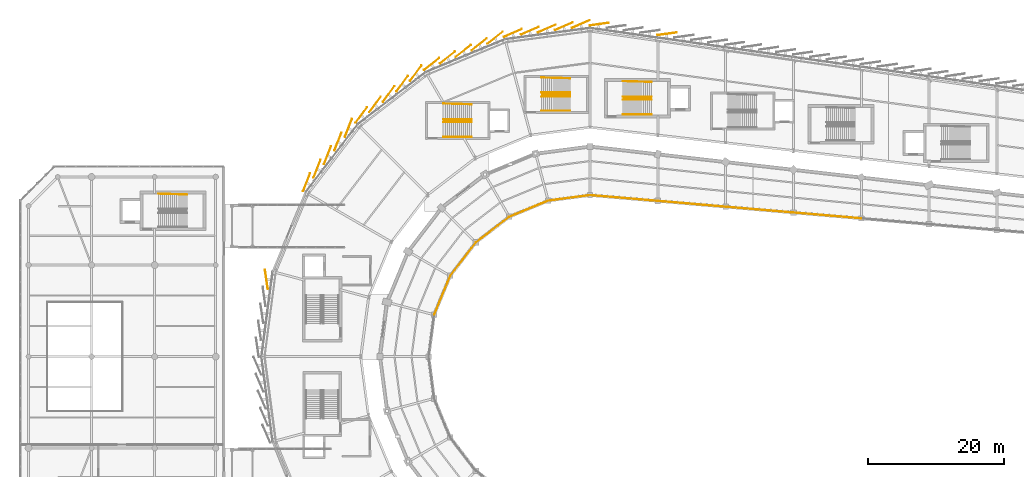
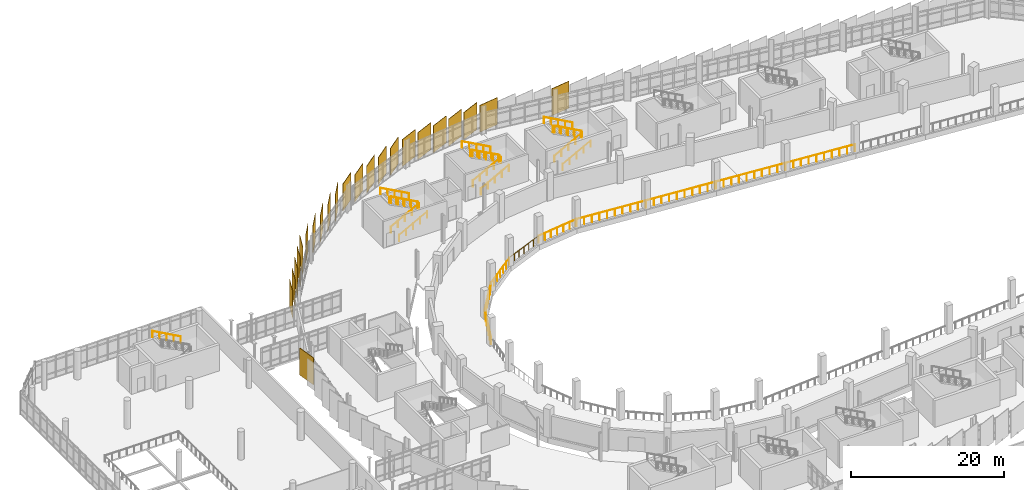
# One storey, part 119 of 125: 25 railings, 23 coverings.
"""IFC4 building model written with IfcOpenShell, lengths in metres."""

from ifc_helpers import new_model, si_unit, direction, frame, origin, origin_2d, place, context, subcontext, project, spatial, rectangle, circle, extrude, material, layer, layer_set, type_object, element, save


model = new_model("IFC4")

# Units and contexts
model_context = context("Model", 3, precision=1e-05, world=origin(), true_north=direction((0.0, 1.0)))
body_context = subcontext(model_context, "Body", "Model", "MODEL_VIEW")
ifc_project = project(units=[si_unit("LENGTHUNIT", "METRE"), si_unit("AREAUNIT", "SQUARE_METRE"), si_unit("VOLUMEUNIT", "CUBIC_METRE"), si_unit("PLANEANGLEUNIT", "RADIAN"), si_unit("MASSUNIT", "GRAM", prefix="KILO")], contexts=[model_context])

# Site, building, storey
site_placement = place(None, origin())
site = spatial("IfcSite", under=ifc_project, at=site_placement, CompositionType="ELEMENT")
building_placement = place(site_placement, origin())
building = spatial("IfcBuilding", under=site, at=building_placement, Name="Sohan Crest Arena", CompositionType="ELEMENT")
storey_placement = place(building_placement, frame((0.0, 0.0, 9.0)))
storey = spatial("IfcBuildingStorey", under=building, at=storey_placement, Name="L02", CompositionType="ELEMENT", Elevation=9.0)

# Railings
ifc_material_1 = material(Name="Powder-coated wrought steel balustrade", Category="steel")
railing_type_1 = type_object("IfcRailingType", Name="ARC-GRD-01", PredefinedType="GUARDRAIL", material=ifc_material_1)
for number, where, name in (
    (1, (80.530029296875, 112.800048828125, 2.25), "Stair well slot guard GRD-025"),
    (2, (107.030029296875, 116.10009765625, 2.25), "Stair well slot guard GRD-037"),
    (3, (95.030029296875, 116.639892578125, 2.25), "Stair well slot guard GRD-108"),
):
    element("IfcRailing", number, at=place(storey_placement, frame(where)), inside=storey, type_object=railing_type_1, Name=name, PredefinedType="GUARDRAIL", context=body_context, shape_type="SweptSolid", body=[
        extrude(circle(Radius=0.02392578125, at=origin_2d()), frame((0.0, 0.0, 1.076171875), z_axis=(-0.87313487534, 0.0, 0.487478706678), x_axis=(0.0, -1.0, 0.0)), (0.0, 0.0, 1.0), 4.615478515625),
        extrude(circle(Radius=0.02099609375, at=origin_2d()), origin(), (0.0, 0.0, 1.0), 1.052001953125),
        extrude(circle(Radius=0.02099609375, at=origin_2d()), frame((-1.007568359375, 0.0, 0.5625)), (0.0, 0.0, 1.0), 1.052001953125),
        extrude(circle(Radius=0.02099609375, at=origin_2d()), frame((-2.01513671875, 0.0, 1.125)), (0.0, 0.0, 1.0), 1.052001953125),
        extrude(circle(Radius=0.02099609375, at=origin_2d()), frame((-3.0224609375, 0.0, 1.6875)), (0.0, 0.0, 1.0), 1.052001953125),
        extrude(circle(Radius=0.02099609375, at=origin_2d()), frame((-4.030029296875, 0.0, 2.25)), (0.0, 0.0, 1.0), 1.052001953125),
    ])
ifc_material_2 = material(Name="Laminated glass and steel sightline guard", Category="steel")
railing_type_2 = type_object("IfcRailingType", Name="ARC-GRD-02", PredefinedType="GUARDRAIL", material=ifc_material_2)
railing_1_placement = place(storey_placement, frame((97.9599609375, 101.794921875, 0.0)))
element("IfcRailing", 4, at=railing_1_placement, inside=storey, type_object=railing_type_2, Name="Bowl gallery edge guard GRD-218", PredefinedType="GUARDRAIL", context=body_context, shape_type="SweptSolid", body=[
    extrude(circle(Radius=0.02392578125, at=origin_2d()), frame((0.0, 0.0, 1.1259765625), z_axis=(-0.991432873037, -0.130617220384, 0.0), x_axis=(0.130617220384, -0.991432873037, 0.0)), (0.0, 0.0, 1.0), 6.132568359375),
    extrude(circle(Radius=0.02099609375, at=origin_2d()), origin(), (0.0, 0.0, 1.0), 1.101806640625),
    extrude(circle(Radius=0.02099609375, at=origin_2d()), frame((-1.013427734375, -0.133544921875, 0.0)), (0.0, 0.0, 1.0), 1.101806640625),
    extrude(circle(Radius=0.02099609375, at=origin_2d()), frame((-2.026611328125, -0.26708984375, 0.0)), (0.0, 0.0, 1.0), 1.101806640625),
    extrude(circle(Radius=0.02099609375, at=origin_2d()), frame((-3.0400390625, -0.400390625, 0.0)), (0.0, 0.0, 1.0), 1.101806640625),
    extrude(circle(Radius=0.02099609375, at=origin_2d()), frame((-4.053466796875, -0.533935546875, 0.0)), (0.0, 0.0, 1.0), 1.101806640625),
    extrude(circle(Radius=0.02099609375, at=origin_2d()), frame((-5.066650390625, -0.66748046875, 0.0)), (0.0, 0.0, 1.0), 1.101806640625),
    extrude(circle(Radius=0.02099609375, at=origin_2d()), frame((-6.080078125, -0.801025390625, 0.0)), (0.0, 0.0, 1.0), 1.101806640625),
])
railing_2_placement = place(storey_placement, frame((91.802978515625, 100.97412109375, 0.0)))
element("IfcRailing", 5, at=railing_2_placement, inside=storey, type_object=railing_type_2, Name="Bowl gallery edge guard GRD-219", PredefinedType="GUARDRAIL", context=body_context, shape_type="SweptSolid", body=[
    extrude(circle(Radius=0.02392578125, at=origin_2d()), frame((0.0, 0.0, 1.1259765625), z_axis=(-0.923810112157, -0.38285098495, 0.0), x_axis=(0.38285098495, -0.923810112157, 0.0)), (0.0, 0.0, 1.0), 6.13330078125),
    extrude(circle(Radius=0.02099609375, at=origin_2d()), origin(), (0.0, 0.0, 1.0), 1.101806640625),
    extrude(circle(Radius=0.02099609375, at=origin_2d()), frame((-0.9443359375, -0.391357421875, 0.0)), (0.0, 0.0, 1.0), 1.101806640625),
    extrude(circle(Radius=0.02099609375, at=origin_2d()), frame((-1.888671875, -0.78271484375, 0.0)), (0.0, 0.0, 1.0), 1.101806640625),
    extrude(circle(Radius=0.02099609375, at=origin_2d()), frame((-2.8330078125, -1.174072265625, 0.0)), (0.0, 0.0, 1.0), 1.101806640625),
    extrude(circle(Radius=0.02099609375, at=origin_2d()), frame((-3.77734375, -1.5654296875, 0.0)), (0.0, 0.0, 1.0), 1.101806640625),
    extrude(circle(Radius=0.02099609375, at=origin_2d()), frame((-4.7216796875, -1.956787109375, 0.0)), (0.0, 0.0, 1.0), 1.101806640625),
    extrude(circle(Radius=0.02099609375, at=origin_2d()), frame((-5.666015625, -2.34814453125, 0.0)), (0.0, 0.0, 1.0), 1.101806640625),
])
railing_3_placement = place(storey_placement, frame((86.068115234375, 98.5869140625, 0.0)))
element("IfcRailing", 6, at=railing_3_placement, inside=storey, type_object=railing_type_2, Name="Bowl gallery edge guard GRD-220", PredefinedType="GUARDRAIL", context=body_context, shape_type="SweptSolid", body=[
    extrude(circle(Radius=0.02392578125, at=origin_2d()), frame((0.0, 0.0, 1.1259765625), z_axis=(-0.793301277629, -0.608829272384, 0.0), x_axis=(0.608829272384, -0.793301277629, 0.0)), (0.0, 0.0, 1.0), 6.1328125),
    extrude(circle(Radius=0.02099609375, at=origin_2d()), origin(), (0.0, 0.0, 1.0), 1.101806640625),
    extrude(circle(Radius=0.02099609375, at=origin_2d()), frame((-0.810791015625, -0.622314453125, 0.0)), (0.0, 0.0, 1.0), 1.101806640625),
    extrude(circle(Radius=0.02099609375, at=origin_2d()), frame((-1.621826171875, -1.24462890625, 0.0)), (0.0, 0.0, 1.0), 1.101806640625),
    extrude(circle(Radius=0.02099609375, at=origin_2d()), frame((-2.4326171875, -1.866943359375, 0.0)), (0.0, 0.0, 1.0), 1.101806640625),
    extrude(circle(Radius=0.02099609375, at=origin_2d()), frame((-3.243408203125, -2.4892578125, 0.0)), (0.0, 0.0, 1.0), 1.101806640625),
    extrude(circle(Radius=0.02099609375, at=origin_2d()), frame((-4.054443359375, -3.111572265625, 0.0)), (0.0, 0.0, 1.0), 1.101806640625),
    extrude(circle(Radius=0.02099609375, at=origin_2d()), frame((-4.865234375, -3.73388671875, 0.0)), (0.0, 0.0, 1.0), 1.101806640625),
])
railing_4_placement = place(storey_placement, frame((81.14697265625, 94.797119140625, 0.0)))
element("IfcRailing", 7, at=railing_4_placement, inside=storey, type_object=railing_type_2, Name="Bowl gallery edge guard GRD-221", PredefinedType="GUARDRAIL", context=body_context, shape_type="SweptSolid", body=[
    extrude(circle(Radius=0.02392578125, at=origin_2d()), frame((0.0, 0.0, 1.1259765625), z_axis=(-0.608829272384, -0.793301277629, 0.0), x_axis=(0.793301277629, -0.608829272384, 0.0)), (0.0, 0.0, 1.0), 6.1328125),
    extrude(circle(Radius=0.02099609375, at=origin_2d()), origin(), (0.0, 0.0, 1.0), 1.101806640625),
    extrude(circle(Radius=0.02099609375, at=origin_2d()), frame((-0.622314453125, -0.810791015625, 0.0)), (0.0, 0.0, 1.0), 1.101806640625),
    extrude(circle(Radius=0.02099609375, at=origin_2d()), frame((-1.24462890625, -1.621826171875, 0.0)), (0.0, 0.0, 1.0), 1.101806640625),
    extrude(circle(Radius=0.02099609375, at=origin_2d()), frame((-1.866943359375, -2.4326171875, 0.0)), (0.0, 0.0, 1.0), 1.101806640625),
    extrude(circle(Radius=0.02099609375, at=origin_2d()), frame((-2.4892578125, -3.243408203125, 0.0)), (0.0, 0.0, 1.0), 1.101806640625),
    extrude(circle(Radius=0.02099609375, at=origin_2d()), frame((-3.111572265625, -4.054443359375, 0.0)), (0.0, 0.0, 1.0), 1.101806640625),
    extrude(circle(Radius=0.02099609375, at=origin_2d()), frame((-3.73388671875, -4.865234375, 0.0)), (0.0, 0.0, 1.0), 1.101806640625),
])
railing_5_placement = place(storey_placement, frame((77.3740234375, 89.863037109375, 0.0)))
element("IfcRailing", 8, at=railing_5_placement, inside=storey, type_object=railing_type_2, Name="Bowl gallery edge guard GRD-222", PredefinedType="GUARDRAIL", context=body_context, shape_type="SweptSolid", body=[
    extrude(circle(Radius=0.02392578125, at=origin_2d()), frame((0.0, 0.0, 1.1259765625), z_axis=(-0.38285098495, -0.923810112157, 0.0), x_axis=(0.923810112157, -0.38285098495, 0.0)), (0.0, 0.0, 1.0), 6.13330078125),
    extrude(circle(Radius=0.02099609375, at=origin_2d()), origin(), (0.0, 0.0, 1.0), 1.101806640625),
    extrude(circle(Radius=0.02099609375, at=origin_2d()), frame((-0.391357421875, -0.9443359375, 0.0)), (0.0, 0.0, 1.0), 1.101806640625),
    extrude(circle(Radius=0.02099609375, at=origin_2d()), frame((-0.78271484375, -1.888671875, 0.0)), (0.0, 0.0, 1.0), 1.101806640625),
    extrude(circle(Radius=0.02099609375, at=origin_2d()), frame((-1.174072265625, -2.8330078125, 0.0)), (0.0, 0.0, 1.0), 1.101806640625),
    extrude(circle(Radius=0.02099609375, at=origin_2d()), frame((-1.5654296875, -3.77734375, 0.0)), (0.0, 0.0, 1.0), 1.101806640625),
    extrude(circle(Radius=0.02099609375, at=origin_2d()), frame((-1.956787109375, -4.7216796875, 0.0)), (0.0, 0.0, 1.0), 1.101806640625),
    extrude(circle(Radius=0.02099609375, at=origin_2d()), frame((-2.34814453125, -5.666015625, 0.0)), (0.0, 0.0, 1.0), 1.101806640625),
])
railing_6_placement = place(storey_placement, frame((137.9599609375, 98.3740234375, 0.0)))
element("IfcRailing", 9, at=railing_6_placement, inside=storey, type_object=railing_type_2, Name="Bowl gallery edge guard GRD-248", PredefinedType="GUARDRAIL", context=body_context, shape_type="SweptSolid", body=[
    extrude(circle(Radius=0.02392578125, at=origin_2d()), frame((0.0, 0.0, 1.1259765625), z_axis=(-0.996331491652, 0.085577793509, 0.0), x_axis=(-0.085577793509, -0.996331491652, 0.0)), (0.0, 0.0, 1.0), 9.95654296875),
    extrude(circle(Radius=0.02099609375, at=origin_2d()), origin(), (0.0, 0.0, 1.0), 1.101806640625),
    extrude(circle(Radius=0.02099609375, at=origin_2d()), frame((-1.102294921875, 0.0947265625, 0.0)), (0.0, 0.0, 1.0), 1.101806640625),
    extrude(circle(Radius=0.02099609375, at=origin_2d()), frame((-2.204345703125, 0.189453125, 0.0)), (0.0, 0.0, 1.0), 1.101806640625),
    extrude(circle(Radius=0.02099609375, at=origin_2d()), frame((-3.306640625, 0.283935546875, 0.0)), (0.0, 0.0, 1.0), 1.101806640625),
    extrude(circle(Radius=0.02099609375, at=origin_2d()), frame((-4.408935546875, 0.378662109375, 0.0)), (0.0, 0.0, 1.0), 1.101806640625),
    extrude(circle(Radius=0.02099609375, at=origin_2d()), frame((-5.510986328125, 0.473388671875, 0.0)), (0.0, 0.0, 1.0), 1.101806640625),
    extrude(circle(Radius=0.02099609375, at=origin_2d()), frame((-6.61328125, 0.568115234375, 0.0)), (0.0, 0.0, 1.0), 1.101806640625),
    extrude(circle(Radius=0.02099609375, at=origin_2d()), frame((-7.715576171875, 0.66259765625, 0.0)), (0.0, 0.0, 1.0), 1.101806640625),
    extrude(circle(Radius=0.02099609375, at=origin_2d()), frame((-8.817626953125, 0.75732421875, 0.0)), (0.0, 0.0, 1.0), 1.101806640625),
    extrude(circle(Radius=0.02099609375, at=origin_2d()), frame((-9.919921875, 0.85205078125, 0.0)), (0.0, 0.0, 1.0), 1.101806640625),
])
railing_7_placement = place(storey_placement, frame((127.9599609375, 99.23193359375, 0.0)))
element("IfcRailing", 10, at=railing_7_placement, inside=storey, type_object=railing_type_2, Name="Bowl gallery edge guard GRD-249", PredefinedType="GUARDRAIL", context=body_context, shape_type="SweptSolid", body=[
    extrude(circle(Radius=0.02392578125, at=origin_2d()), frame((0.0, 0.0, 1.1259765625), z_axis=(-0.996339849936, 0.085480427173, 0.0), x_axis=(-0.085480427173, -0.996339849936, 0.0)), (0.0, 0.0, 1.0), 9.956298828125),
    extrude(circle(Radius=0.02099609375, at=origin_2d()), origin(), (0.0, 0.0, 1.0), 1.101806640625),
    extrude(circle(Radius=0.02099609375, at=origin_2d()), frame((-1.102294921875, 0.094482421875, 0.0)), (0.0, 0.0, 1.0), 1.101806640625),
    extrude(circle(Radius=0.02099609375, at=origin_2d()), frame((-2.204345703125, 0.189208984375, 0.0)), (0.0, 0.0, 1.0), 1.101806640625),
    extrude(circle(Radius=0.02099609375, at=origin_2d()), frame((-3.306640625, 0.28369140625, 0.0)), (0.0, 0.0, 1.0), 1.101806640625),
    extrude(circle(Radius=0.02099609375, at=origin_2d()), frame((-4.408935546875, 0.378173828125, 0.0)), (0.0, 0.0, 1.0), 1.101806640625),
    extrude(circle(Radius=0.02099609375, at=origin_2d()), frame((-5.510986328125, 0.472900390625, 0.0)), (0.0, 0.0, 1.0), 1.101806640625),
    extrude(circle(Radius=0.02099609375, at=origin_2d()), frame((-6.61328125, 0.5673828125, 0.0)), (0.0, 0.0, 1.0), 1.101806640625),
    extrude(circle(Radius=0.02099609375, at=origin_2d()), frame((-7.715576171875, 0.661865234375, 0.0)), (0.0, 0.0, 1.0), 1.101806640625),
    extrude(circle(Radius=0.02099609375, at=origin_2d()), frame((-8.817626953125, 0.756591796875, 0.0)), (0.0, 0.0, 1.0), 1.101806640625),
    extrude(circle(Radius=0.02099609375, at=origin_2d()), frame((-9.919921875, 0.85107421875, 0.0)), (0.0, 0.0, 1.0), 1.101806640625),
])
railing_8_placement = place(storey_placement, frame((117.9599609375, 100.089111328125, 0.0)))
element("IfcRailing", 11, at=railing_8_placement, inside=storey, type_object=railing_type_2, Name="Bowl gallery edge guard GRD-250", PredefinedType="GUARDRAIL", context=body_context, shape_type="SweptSolid", body=[
    extrude(circle(Radius=0.02392578125, at=origin_2d()), frame((0.0, 0.0, 1.1259765625), z_axis=(-0.996341938042, 0.085456085206, 0.0), x_axis=(-0.085456085206, -0.996341938042, 0.0)), (0.0, 0.0, 1.0), 9.956298828125),
    extrude(circle(Radius=0.02099609375, at=origin_2d()), origin(), (0.0, 0.0, 1.0), 1.101806640625),
    extrude(circle(Radius=0.02099609375, at=origin_2d()), frame((-1.102294921875, 0.094482421875, 0.0)), (0.0, 0.0, 1.0), 1.101806640625),
    extrude(circle(Radius=0.02099609375, at=origin_2d()), frame((-2.204345703125, 0.18896484375, 0.0)), (0.0, 0.0, 1.0), 1.101806640625),
    extrude(circle(Radius=0.02099609375, at=origin_2d()), frame((-3.306640625, 0.28369140625, 0.0)), (0.0, 0.0, 1.0), 1.101806640625),
    extrude(circle(Radius=0.02099609375, at=origin_2d()), frame((-4.408935546875, 0.378173828125, 0.0)), (0.0, 0.0, 1.0), 1.101806640625),
    extrude(circle(Radius=0.02099609375, at=origin_2d()), frame((-5.510986328125, 0.47265625, 0.0)), (0.0, 0.0, 1.0), 1.101806640625),
    extrude(circle(Radius=0.02099609375, at=origin_2d()), frame((-6.61328125, 0.567138671875, 0.0)), (0.0, 0.0, 1.0), 1.101806640625),
    extrude(circle(Radius=0.02099609375, at=origin_2d()), frame((-7.715576171875, 0.661865234375, 0.0)), (0.0, 0.0, 1.0), 1.101806640625),
    extrude(circle(Radius=0.02099609375, at=origin_2d()), frame((-8.817626953125, 0.75634765625, 0.0)), (0.0, 0.0, 1.0), 1.101806640625),
    extrude(circle(Radius=0.02099609375, at=origin_2d()), frame((-9.919921875, 0.850830078125, 0.0)), (0.0, 0.0, 1.0), 1.101806640625),
])
railing_9_placement = place(storey_placement, frame((107.9599609375, 100.946044921875, 0.0)))
element("IfcRailing", 12, at=railing_9_placement, inside=storey, type_object=railing_type_2, Name="Bowl gallery edge guard GRD-251", PredefinedType="GUARDRAIL", context=body_context, shape_type="SweptSolid", body=[
    extrude(circle(Radius=0.02392578125, at=origin_2d()), frame((0.0, 0.0, 1.1259765625), z_axis=(-0.996339849936, 0.085480427173, 0.0), x_axis=(-0.085480427173, -0.996339849936, 0.0)), (0.0, 0.0, 1.0), 9.956298828125),
    extrude(circle(Radius=0.02099609375, at=origin_2d()), origin(), (0.0, 0.0, 1.0), 1.101806640625),
    extrude(circle(Radius=0.02099609375, at=origin_2d()), frame((-1.102294921875, 0.094482421875, 0.0)), (0.0, 0.0, 1.0), 1.101806640625),
    extrude(circle(Radius=0.02099609375, at=origin_2d()), frame((-2.204345703125, 0.189208984375, 0.0)), (0.0, 0.0, 1.0), 1.101806640625),
    extrude(circle(Radius=0.02099609375, at=origin_2d()), frame((-3.306640625, 0.28369140625, 0.0)), (0.0, 0.0, 1.0), 1.101806640625),
    extrude(circle(Radius=0.02099609375, at=origin_2d()), frame((-4.408935546875, 0.378173828125, 0.0)), (0.0, 0.0, 1.0), 1.101806640625),
    extrude(circle(Radius=0.02099609375, at=origin_2d()), frame((-5.510986328125, 0.472900390625, 0.0)), (0.0, 0.0, 1.0), 1.101806640625),
    extrude(circle(Radius=0.02099609375, at=origin_2d()), frame((-6.61328125, 0.5673828125, 0.0)), (0.0, 0.0, 1.0), 1.101806640625),
    extrude(circle(Radius=0.02099609375, at=origin_2d()), frame((-7.715576171875, 0.661865234375, 0.0)), (0.0, 0.0, 1.0), 1.101806640625),
    extrude(circle(Radius=0.02099609375, at=origin_2d()), frame((-8.817626953125, 0.756591796875, 0.0)), (0.0, 0.0, 1.0), 1.101806640625),
    extrude(circle(Radius=0.02099609375, at=origin_2d()), frame((-9.919921875, 0.85107421875, 0.0)), (0.0, 0.0, 1.0), 1.101806640625),
])
ifc_material_3 = material(Name="Brushed stainless steel stair handrail", Category="steel")
railing_type_3 = type_object("IfcRailingType", Name="ARC-HR-01", PredefinedType="HANDRAIL", material=ifc_material_3)
for number, where, name in (
    (13, (76.35009765625, 110.409912109375, 0.0), "Stair pitch handrail HR-085"),
    (14, (76.35009765625, 112.590087890625, 0.0), "Stair pitch handrail HR-086"),
):
    element("IfcRailing", number, at=place(storey_placement, frame(where)), inside=storey, type_object=railing_type_3, Name=name, PredefinedType="HANDRAIL", context=body_context, shape_type="SweptSolid", body=[
        extrude(circle(Radius=0.02392578125, at=origin_2d()), frame((0.0, 0.0, 0.97607421875), z_axis=(0.881477684796, 0.0, 0.472225678258), x_axis=(0.0, 1.0, 0.0)), (0.0, 0.0, 1.0), 4.7646484375),
        extrude(circle(Radius=0.02099609375, at=origin_2d()), origin(), (0.0, 0.0, 1.0), 0.951904296875),
        extrude(circle(Radius=0.02099609375, at=origin_2d()), frame((1.050048828125, 0.0, 0.5625)), (0.0, 0.0, 1.0), 0.951904296875),
        extrude(circle(Radius=0.02099609375, at=origin_2d()), frame((2.10009765625, 0.0, 1.125)), (0.0, 0.0, 1.0), 0.951904296875),
        extrude(circle(Radius=0.02099609375, at=origin_2d()), frame((3.14990234375, 0.0, 1.6875)), (0.0, 0.0, 1.0), 0.951904296875),
        extrude(circle(Radius=0.02099609375, at=origin_2d()), frame((4.199951171875, 0.0, 2.25)), (0.0, 0.0, 1.0), 0.951904296875),
    ])
railing_10_placement = place(storey_placement, frame((80.550048828125, 113.010009765625, 2.25)))
element("IfcRailing", 15, at=railing_10_placement, inside=storey, type_object=railing_type_3, Name="Stair pitch handrail HR-087", PredefinedType="HANDRAIL", context=body_context, shape_type="SweptSolid", body=[
    extrude(circle(Radius=0.02392578125, at=origin_2d()), frame((0.0, 0.0, 0.97607421875), z_axis=(-0.881477684796, 0.0, 0.472225678258), x_axis=(0.0, -1.0, 0.0)), (0.0, 0.0, 1.0), 4.7646484375),
    extrude(circle(Radius=0.02099609375, at=origin_2d()), origin(), (0.0, 0.0, 1.0), 0.951904296875),
    extrude(circle(Radius=0.02099609375, at=origin_2d()), frame((-1.050048828125, 0.0, 0.5625)), (0.0, 0.0, 1.0), 0.951904296875),
    extrude(circle(Radius=0.02099609375, at=origin_2d()), frame((-2.10009765625, 0.0, 1.125)), (0.0, 0.0, 1.0), 0.951904296875),
    extrude(circle(Radius=0.02099609375, at=origin_2d()), frame((-3.14990234375, 0.0, 1.6875)), (0.0, 0.0, 1.0), 0.951904296875),
    extrude(circle(Radius=0.02099609375, at=origin_2d()), frame((-4.199951171875, 0.0, 2.25)), (0.0, 0.0, 1.0), 0.951904296875),
])
railing_11_placement = place(storey_placement, frame((80.550048828125, 115.18994140625, 2.25)))
element("IfcRailing", 16, at=railing_11_placement, inside=storey, type_object=railing_type_3, Name="Stair pitch handrail HR-088", PredefinedType="HANDRAIL", context=body_context, shape_type="SweptSolid", body=[
    extrude(circle(Radius=0.02392578125, at=origin_2d()), frame((0.0, 0.0, 0.97607421875), z_axis=(-0.881197710057, 0.025201957411, 0.472075690047), x_axis=(-0.028587973606, -0.999591280357, 0.0)), (0.0, 0.0, 1.0), 4.76611328125),
    extrude(circle(Radius=0.02099609375, at=origin_2d()), origin(), (0.0, 0.0, 1.0), 0.951904296875),
    extrude(circle(Radius=0.02099609375, at=origin_2d()), frame((-1.050048828125, 0.030029296875, 0.5625)), (0.0, 0.0, 1.0), 0.951904296875),
    extrude(circle(Radius=0.02099609375, at=origin_2d()), frame((-2.10009765625, 0.06005859375, 1.125)), (0.0, 0.0, 1.0), 0.951904296875),
    extrude(circle(Radius=0.02099609375, at=origin_2d()), frame((-3.14990234375, 0.090087890625, 1.6875)), (0.0, 0.0, 1.0), 0.951904296875),
    extrude(circle(Radius=0.02099609375, at=origin_2d()), frame((-4.199951171875, 0.1201171875, 2.25)), (0.0, 0.0, 1.0), 0.951904296875),
])
for number, where, name in (
    (17, (102.85009765625, 113.7099609375, 0.0), "Stair pitch handrail HR-125"),
    (18, (102.85009765625, 115.889892578125, 0.0), "Stair pitch handrail HR-126"),
):
    element("IfcRailing", number, at=place(storey_placement, frame(where)), inside=storey, type_object=railing_type_3, Name=name, PredefinedType="HANDRAIL", context=body_context, shape_type="SweptSolid", body=[
        extrude(circle(Radius=0.02392578125, at=origin_2d()), frame((0.0, 0.0, 0.97607421875), z_axis=(0.881477684796, 0.0, 0.472225678258), x_axis=(0.0, 1.0, 0.0)), (0.0, 0.0, 1.0), 4.7646484375),
        extrude(circle(Radius=0.02099609375, at=origin_2d()), origin(), (0.0, 0.0, 1.0), 0.951904296875),
        extrude(circle(Radius=0.02099609375, at=origin_2d()), frame((1.050048828125, 0.0, 0.5625)), (0.0, 0.0, 1.0), 0.951904296875),
        extrude(circle(Radius=0.02099609375, at=origin_2d()), frame((2.10009765625, 0.0, 1.125)), (0.0, 0.0, 1.0), 0.951904296875),
        extrude(circle(Radius=0.02099609375, at=origin_2d()), frame((3.14990234375, 0.0, 1.6875)), (0.0, 0.0, 1.0), 0.951904296875),
        extrude(circle(Radius=0.02099609375, at=origin_2d()), frame((4.199951171875, 0.0, 2.25)), (0.0, 0.0, 1.0), 0.951904296875),
    ])
railing_12_placement = place(storey_placement, frame((107.050048828125, 116.31005859375, 2.25)))
element("IfcRailing", 19, at=railing_12_placement, inside=storey, type_object=railing_type_3, Name="Stair pitch handrail HR-127", PredefinedType="HANDRAIL", context=body_context, shape_type="SweptSolid", body=[
    extrude(circle(Radius=0.02392578125, at=origin_2d()), frame((0.0, 0.0, 0.97607421875), z_axis=(-0.881477684796, 0.0, 0.472225678258), x_axis=(0.0, -1.0, 0.0)), (0.0, 0.0, 1.0), 4.7646484375),
    extrude(circle(Radius=0.02099609375, at=origin_2d()), origin(), (0.0, 0.0, 1.0), 0.951904296875),
    extrude(circle(Radius=0.02099609375, at=origin_2d()), frame((-1.050048828125, 0.0, 0.5625)), (0.0, 0.0, 1.0), 0.951904296875),
    extrude(circle(Radius=0.02099609375, at=origin_2d()), frame((-2.10009765625, 0.0, 1.125)), (0.0, 0.0, 1.0), 0.951904296875),
    extrude(circle(Radius=0.02099609375, at=origin_2d()), frame((-3.14990234375, 0.0, 1.6875)), (0.0, 0.0, 1.0), 0.951904296875),
    extrude(circle(Radius=0.02099609375, at=origin_2d()), frame((-4.199951171875, 0.0, 2.25)), (0.0, 0.0, 1.0), 0.951904296875),
])
for number, where, name in (
    (20, (107.050048828125, 118.489990234375, 2.25), "Stair pitch handrail HR-128"),
    (21, (38.550048828125, 101.889892578125, 2.25), "Stair pitch handrail HR-256"),
):
    element("IfcRailing", number, at=place(storey_placement, frame(where)), inside=storey, type_object=railing_type_3, Name=name, PredefinedType="HANDRAIL", context=body_context, shape_type="SweptSolid", body=[
        extrude(circle(Radius=0.02392578125, at=origin_2d()), frame((0.0, 0.0, 0.97607421875), z_axis=(-0.881197710057, 0.025201957411, 0.472075690047), x_axis=(-0.028587973606, -0.999591280357, 0.0)), (0.0, 0.0, 1.0), 4.76611328125),
        extrude(circle(Radius=0.02099609375, at=origin_2d()), origin(), (0.0, 0.0, 1.0), 0.951904296875),
        extrude(circle(Radius=0.02099609375, at=origin_2d()), frame((-1.050048828125, 0.030029296875, 0.5625)), (0.0, 0.0, 1.0), 0.951904296875),
        extrude(circle(Radius=0.02099609375, at=origin_2d()), frame((-2.10009765625, 0.06005859375, 1.125)), (0.0, 0.0, 1.0), 0.951904296875),
        extrude(circle(Radius=0.02099609375, at=origin_2d()), frame((-3.14990234375, 0.090087890625, 1.6875)), (0.0, 0.0, 1.0), 0.951904296875),
        extrude(circle(Radius=0.02099609375, at=origin_2d()), frame((-4.199951171875, 0.1201171875, 2.25)), (0.0, 0.0, 1.0), 0.951904296875),
    ])
for number, where, name in (
    (22, (90.85009765625, 114.25, 0.0), "Stair pitch handrail HR-353"),
    (23, (90.85009765625, 116.330078125, 0.0), "Stair pitch handrail HR-354"),
):
    element("IfcRailing", number, at=place(storey_placement, frame(where)), inside=storey, type_object=railing_type_3, Name=name, PredefinedType="HANDRAIL", context=body_context, shape_type="SweptSolid", body=[
        extrude(circle(Radius=0.02392578125, at=origin_2d()), frame((0.0, 0.0, 0.97607421875), z_axis=(0.881477684796, 0.0, 0.472225678258), x_axis=(0.0, 1.0, 0.0)), (0.0, 0.0, 1.0), 4.7646484375),
        extrude(circle(Radius=0.02099609375, at=origin_2d()), origin(), (0.0, 0.0, 1.0), 0.951904296875),
        extrude(circle(Radius=0.02099609375, at=origin_2d()), frame((1.050048828125, 0.0, 0.5625)), (0.0, 0.0, 1.0), 0.951904296875),
        extrude(circle(Radius=0.02099609375, at=origin_2d()), frame((2.10009765625, 0.0, 1.125)), (0.0, 0.0, 1.0), 0.951904296875),
        extrude(circle(Radius=0.02099609375, at=origin_2d()), frame((3.14990234375, 0.0, 1.6875)), (0.0, 0.0, 1.0), 0.951904296875),
        extrude(circle(Radius=0.02099609375, at=origin_2d()), frame((4.199951171875, 0.0, 2.25)), (0.0, 0.0, 1.0), 0.951904296875),
    ])
railing_13_placement = place(storey_placement, frame((95.050048828125, 116.949951171875, 2.25)))
element("IfcRailing", 24, at=railing_13_placement, inside=storey, type_object=railing_type_3, Name="Stair pitch handrail HR-355", PredefinedType="HANDRAIL", context=body_context, shape_type="SweptSolid", body=[
    extrude(circle(Radius=0.02392578125, at=origin_2d()), frame((0.0, 0.0, 0.97607421875), z_axis=(-0.881477684796, 0.0, 0.472225678258), x_axis=(0.0, -1.0, 0.0)), (0.0, 0.0, 1.0), 4.7646484375),
    extrude(circle(Radius=0.02099609375, at=origin_2d()), origin(), (0.0, 0.0, 1.0), 0.951904296875),
    extrude(circle(Radius=0.02099609375, at=origin_2d()), frame((-1.050048828125, 0.0, 0.5625)), (0.0, 0.0, 1.0), 0.951904296875),
    extrude(circle(Radius=0.02099609375, at=origin_2d()), frame((-2.10009765625, 0.0, 1.125)), (0.0, 0.0, 1.0), 0.951904296875),
    extrude(circle(Radius=0.02099609375, at=origin_2d()), frame((-3.14990234375, 0.0, 1.6875)), (0.0, 0.0, 1.0), 0.951904296875),
    extrude(circle(Radius=0.02099609375, at=origin_2d()), frame((-4.199951171875, 0.0, 2.25)), (0.0, 0.0, 1.0), 0.951904296875),
])
railing_14_placement = place(storey_placement, frame((95.050048828125, 119.030029296875, 2.25)))
element("IfcRailing", 25, at=railing_14_placement, inside=storey, type_object=railing_type_3, Name="Stair pitch handrail HR-356", PredefinedType="HANDRAIL", context=body_context, shape_type="SweptSolid", body=[
    extrude(circle(Radius=0.02392578125, at=origin_2d()), frame((0.0, 0.0, 0.97607421875), z_axis=(-0.881198846469, 0.025150766356, 0.472076298847), x_axis=(-0.028529915312, -0.999592939117, 0.0)), (0.0, 0.0, 1.0), 4.76611328125),
    extrude(circle(Radius=0.02099609375, at=origin_2d()), origin(), (0.0, 0.0, 1.0), 0.951904296875),
    extrude(circle(Radius=0.02099609375, at=origin_2d()), frame((-1.050048828125, 0.030029296875, 0.5625)), (0.0, 0.0, 1.0), 0.951904296875),
    extrude(circle(Radius=0.02099609375, at=origin_2d()), frame((-2.10009765625, 0.06005859375, 1.125)), (0.0, 0.0, 1.0), 0.951904296875),
    extrude(circle(Radius=0.02099609375, at=origin_2d()), frame((-3.14990234375, 0.08984375, 1.6875)), (0.0, 0.0, 1.0), 0.951904296875),
    extrude(circle(Radius=0.02099609375, at=origin_2d()), frame((-4.199951171875, 0.119873046875, 2.25)), (0.0, 0.0, 1.0), 0.951904296875),
])

# Coverings
ifc_material_4 = material(Name="Glazed ivory trencadis ceramic cladding", Category="masonry")
ifc_layer_1 = layer(ifc_material_4, 0.06494140625, Name="Glazed ivory trencadis ceramic cladding")
ifc_layer_set_1 = layer_set([ifc_layer_1], Name="Glazed ivory trencadis ceramic cladding")
covering_type_1 = type_object("IfcCoveringType", Name="COV-SC-IV", PredefinedType="CLADDING", material=ifc_layer_set_1)
for number, where, z_axis, x_axis, name in (
    (26, (94.138916015625, 126.7080078125, -0.2001953125), (0.0, 0.0, 1.0), (-0.917060074385, -0.398749068925, 0.0), "Rotated trencadis ceramic scale panel SC-0132"),
    (27, (91.631103515625, 126.3779296875, -0.2001953125), (0.0, 0.0, 1.0), (-0.917060074385, -0.398749068925, 0.0), "Rotated trencadis ceramic scale panel SC-0133"),
    (28, (89.123046875, 126.048095703125, -0.2001953125), (0.0, 0.0, 1.0), (-0.917060074385, -0.398749068925, 0.0), "Rotated trencadis ceramic scale panel SC-0134"),
    (29, (86.614990234375, 125.718017578125, -0.2001953125), (0.0, 0.0, 1.0), (-0.917060074385, -0.398749068925, 0.0), "Rotated trencadis ceramic scale panel SC-0135"),
    (30, (84.0009765625, 125.01708984375, -0.2001953125), (0.0, 0.0, 1.0), (-0.782608156852, -0.622514636638, 0.0), "Rotated trencadis ceramic scale panel SC-0136"),
    (31, (81.6640625, 124.049072265625, -0.2001953125), (0.0, 0.0, 1.0), (-0.782608156852, -0.622514636638, 0.0), "Rotated trencadis ceramic scale panel SC-0137"),
    (32, (79.326904296875, 123.0810546875, -0.2001953125), (0.0, 0.0, 1.0), (-0.782608156852, -0.622514636638, 0.0), "Rotated trencadis ceramic scale panel SC-0138"),
    (33, (76.989990234375, 122.113037109375, -0.2001953125), (0.0, 0.0, 1.0), (-0.782608156852, -0.622514636638, 0.0), "Rotated trencadis ceramic scale panel SC-0139"),
    (34, (72.30908203125, 119.7919921875, -0.2001953125), (0.0, 0.0, 1.0), (-0.594822786751, -0.803856860617, 0.0), "Rotated trencadis ceramic scale panel SC-0141"),
    (35, (70.302001953125, 118.251953125, -0.2001953125), (0.0, 0.0, 1.0), (-0.594822786751, -0.803856860617, 0.0), "Rotated trencadis ceramic scale panel SC-0142"),
    (36, (68.294921875, 116.7119140625, -0.2001953125), (0.0, 0.0, 1.0), (-0.594822786751, -0.803856860617, 0.0), "Rotated trencadis ceramic scale panel SC-0143"),
    (37, (64.281982421875, 113.632080078125, -0.2001953125), (0.0, 0.0, 1.0), (-0.594822786751, -0.803856860617, 0.0), "Rotated trencadis ceramic scale panel SC-0145"),
    (38, (62.367919921875, 111.718017578125, -0.2001953125), (0.0, 0.0, 1.0), (-0.366501226724, -0.930417567982, 0.0), "Rotated trencadis ceramic scale panel SC-0146"),
    (39, (60.827880859375, 109.7109375, -0.2001953125), (0.0, 0.0, 1.0), (-0.366501226724, -0.930417567982, 0.0), "Rotated trencadis ceramic scale panel SC-0147"),
    (40, (57.748046875, 105.697998046875, -0.2001953125), (0.0, 0.0, 1.0), (-0.366501226724, -0.930417567982, 0.0), "Rotated trencadis ceramic scale panel SC-0149"),
    (41, (56.2080078125, 103.69091796875, -0.2001953125), (0.0, 0.0, 1.0), (-0.366501226724, -0.930417567982, 0.0), "Rotated trencadis ceramic scale panel SC-0150"),
    (42, (99.35791015625, 127.02392578125, -0.2001953125), (0.0, 0.0, 1.0), (-0.990509463238, -0.137444546037, 0.0), "Rotated trencadis ceramic scale panel SC-0260"),
):
    element("IfcCovering", number, at=place(storey_placement, frame(where, z_axis=z_axis, x_axis=x_axis)), inside=storey, type_object=covering_type_1, Name=name, PredefinedType="CLADDING", context=body_context, shape_type="SweptSolid", body=[
        extrude(rectangle(XDim=2.85009765625, YDim=0.06494140625, at=origin_2d()), origin(), (0.0, 0.0, 1.0), 4.300048828125),
    ])
ifc_material_5 = material(Name="Glazed terracotta trencadis ceramic cladding", Category="masonry")
ifc_layer_2 = layer(ifc_material_5, 0.074951171875, Name="Glazed terracotta trencadis ceramic cladding")
ifc_layer_set_2 = layer_set([ifc_layer_2], Name="Glazed terracotta trencadis ceramic cladding")
covering_type_2 = type_object("IfcCoveringType", Name="COV-SC-TC", PredefinedType="CLADDING", material=ifc_layer_set_2)
for number, where, z_axis, x_axis, name in (
    (43, (96.64697265625, 127.0380859375, -0.2001953125), (0.0, 0.0, 1.0), (-0.917060074385, -0.398749068925, 0.0), "Rotated trencadis ceramic scale panel SC-0131"),
    (44, (74.653076171875, 121.14501953125, -0.2001953125), (0.0, 0.0, 1.0), (-0.782608156852, -0.622514636638, 0.0), "Rotated trencadis ceramic scale panel SC-0140"),
    (45, (66.2890625, 115.172119140625, -0.2001953125), (0.0, 0.0, 1.0), (-0.594822786751, -0.803856860617, 0.0), "Rotated trencadis ceramic scale panel SC-0144"),
    (46, (59.2880859375, 107.705078125, -0.2001953125), (0.0, 0.0, 1.0), (-0.366501226724, -0.930417567982, 0.0), "Rotated trencadis ceramic scale panel SC-0148"),
    (47, (50.281982421875, 89.385009765625, -0.2001953125), (0.0, 0.0, 1.0), (0.14780941113, -0.989015863362, 0.0), "Rotated trencadis ceramic scale panel SC-0151"),
    (48, (109.35693359375, 125.594970703125, -0.2001953125), (0.0, 0.0, 1.0), (-0.990509463238, -0.137444546037, 0.0), "Rotated trencadis ceramic scale panel SC-0256"),
):
    element("IfcCovering", number, at=place(storey_placement, frame(where, z_axis=z_axis, x_axis=x_axis)), inside=storey, type_object=covering_type_2, Name=name, PredefinedType="CLADDING", context=body_context, shape_type="SweptSolid", body=[
        extrude(rectangle(XDim=2.85009765625, YDim=0.074951171875, at=origin_2d()), origin(), (0.0, 0.0, 1.0), 4.300048828125),
    ])

save(model, "model.ifc")
